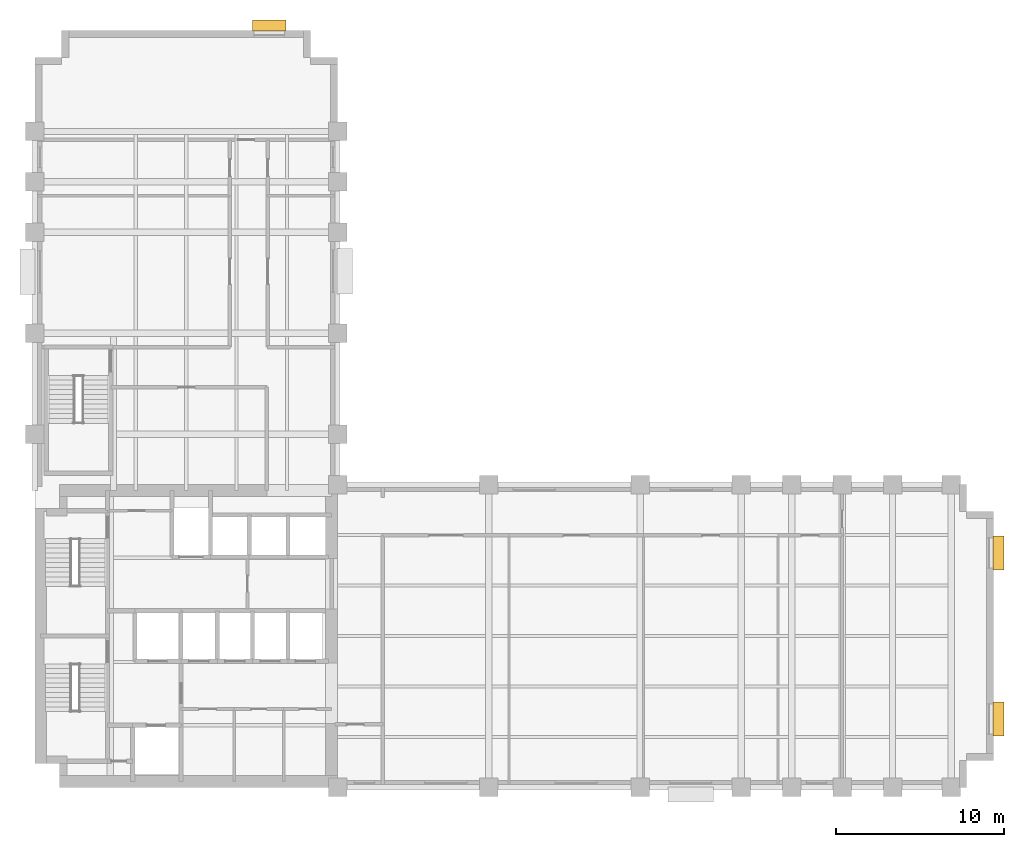
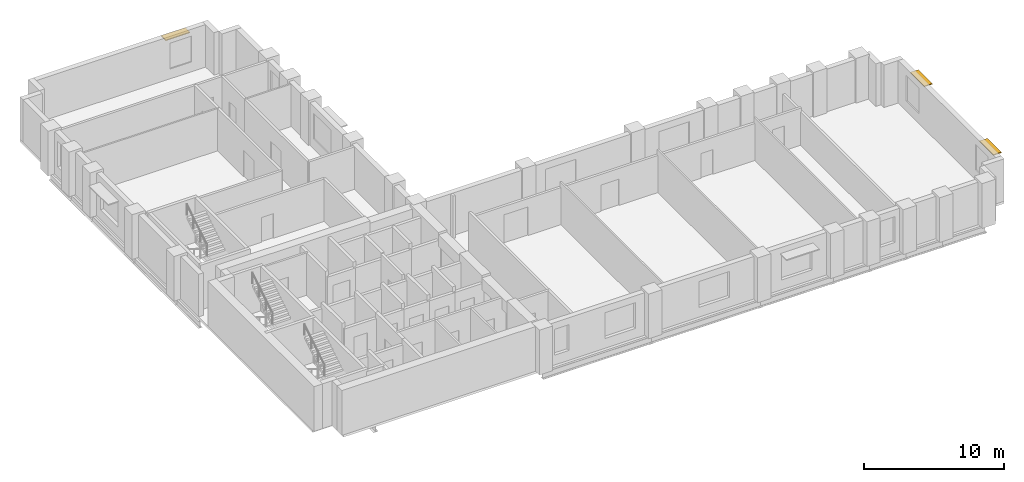
# One storey, part 8 of 8: 3 shading devices.
"""IFC4 building model written with IfcOpenShell, lengths in metres."""

from ifc_helpers import new_model, si_unit, direction, frame, origin, origin_2d, place, context, subcontext, project, spatial, rectangle, extrude, material, layer, layer_set, type_object, element, save


model = new_model("IFC4")

# Units and contexts
model_context = context("Model", 3, precision=1e-05, world=origin(), true_north=direction((0.0, 1.0)))
body_context = subcontext(model_context, "Body", "Model", "MODEL_VIEW")
ifc_project = project(units=[si_unit("LENGTHUNIT", "METRE"), si_unit("AREAUNIT", "SQUARE_METRE"), si_unit("VOLUMEUNIT", "CUBIC_METRE"), si_unit("PLANEANGLEUNIT", "RADIAN"), si_unit("MASSUNIT", "GRAM", prefix="KILO")], contexts=[model_context])

# Site, building, storey
site_placement = place(None, origin())
site = spatial("IfcSite", under=ifc_project, at=site_placement, CompositionType="ELEMENT")
building_placement = place(site_placement, origin())
building = spatial("IfcBuilding", under=site, at=building_placement, Name="Mawjdan Bourse Tower", CompositionType="ELEMENT")
storey_placement = place(building_placement, frame((0.0, 0.0, 97.199951171875)))
storey = spatial("IfcBuildingStorey", under=building, at=storey_placement, Name="L22", CompositionType="ELEMENT", Elevation=97.199951171875)

# Shading devices
ifc_material = material(Name="Bronze Anodised Aluminium", Category="aluminium")
ifc_layer = layer(ifc_material, 0.074951171875)
ifc_layer_set = layer_set([ifc_layer], Name="Bronze Anodised Aluminium")
shading_device_type = type_object("IfcShadingDeviceType", Name="SHD-SUN-650", PredefinedType="USERDEFINED", material=ifc_layer_set)
for number, where, z_axis, x_axis, name in (
    (1, (63.304931640625, 7.066650390625, 3.10009765625), (0.0, 0.0, 1.0), (0.0, 1.0, 0.0), "L22 Solar Window Hood 02"),
    (2, (63.304931640625, 16.933349609375, 3.10009765625), (0.0, 0.0, 1.0), (0.0, 1.0, 0.0), "L22 Solar Window Hood 03"),
    (3, (19.933349609375, 48.304931640625, 3.10009765625), (0.0, 0.0, 1.0), (-1.0, 0.0, 0.0), "L22 Solar Window Hood 07"),
):
    element("IfcShadingDevice", number, at=place(storey_placement, frame(where, z_axis=z_axis, x_axis=x_axis)), inside=storey, type_object=shading_device_type, Name=name, ObjectType="SUNSHADE", PredefinedType="USERDEFINED", context=body_context, shape_type="SweptSolid", body=[
        extrude(rectangle(XDim=2.0, YDim=0.64990234375, at=origin_2d()), origin(), (0.0, 0.0, 1.0), 0.074951171875),
    ])

save(model, "model.ifc")
